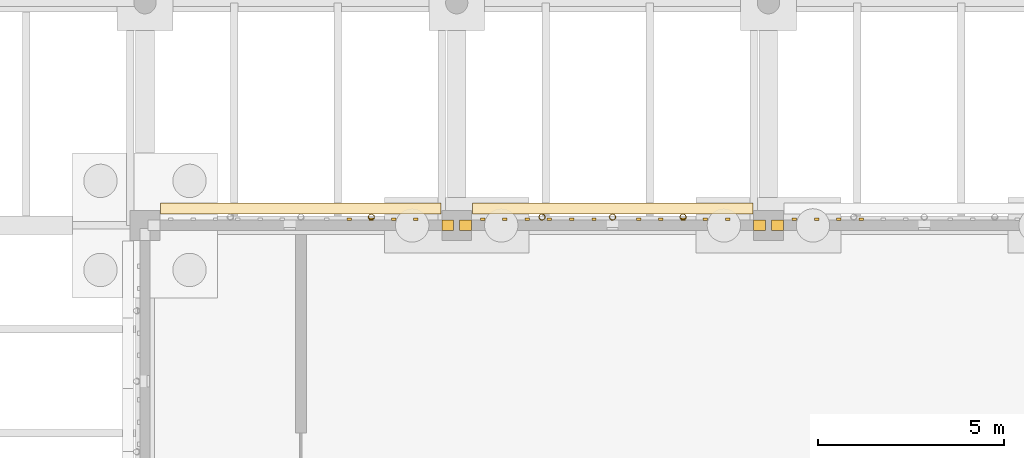
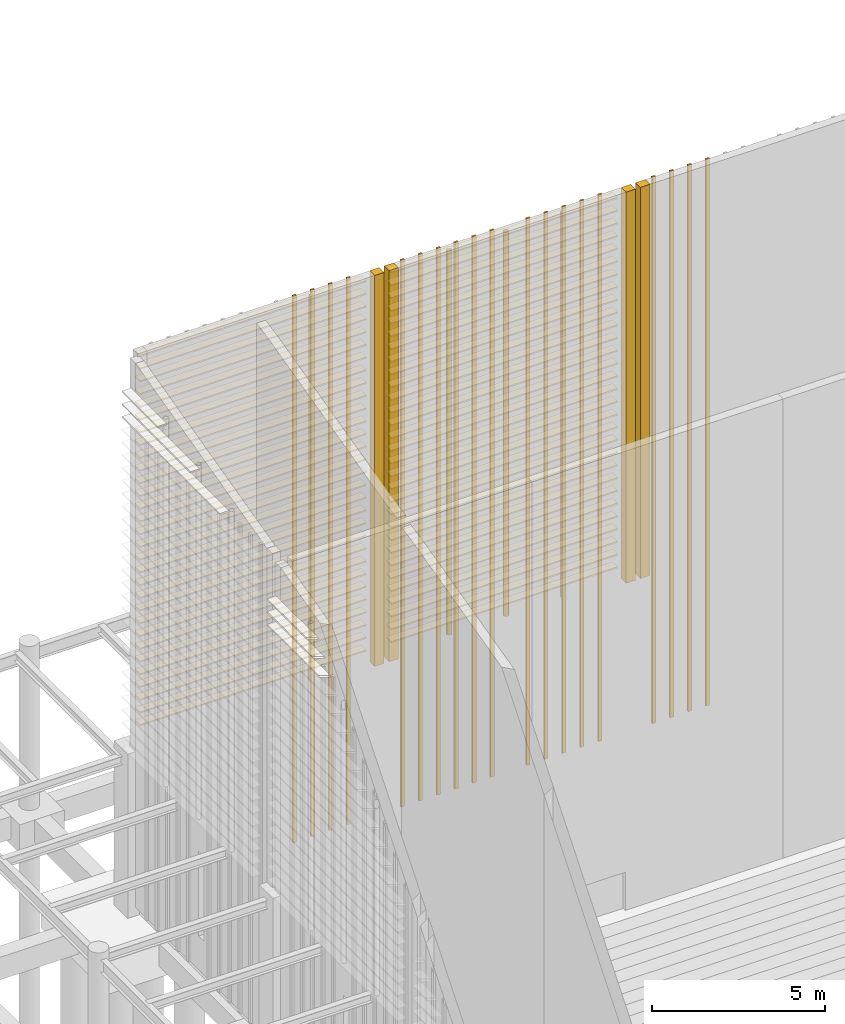
# One storey, part 68 of 82: 64 coverings, 23 shading devices.
"""IFC4 building model written with IfcOpenShell, lengths in metres."""

from ifc_helpers import new_model, si_unit, direction, frame, origin, origin_2d, place, context, subcontext, project, spatial, rectangle, hollow_circle, extrude, material, layer, layer_set, material_profile, profile_set, type_object, element, save


model = new_model("IFC4")

# Units and contexts
model_context = context("Model", 3, precision=1e-05, world=origin(), true_north=direction((0.0, 1.0)))
body_context = subcontext(model_context, "Body", "Model", "MODEL_VIEW")
ifc_project = project(units=[si_unit("LENGTHUNIT", "METRE"), si_unit("AREAUNIT", "SQUARE_METRE"), si_unit("VOLUMEUNIT", "CUBIC_METRE"), si_unit("PLANEANGLEUNIT", "RADIAN"), si_unit("MASSUNIT", "GRAM", prefix="KILO")], contexts=[model_context])

# Site, building, storey
site_placement = place(None, origin())
site = spatial("IfcSite", under=ifc_project, at=site_placement, CompositionType="ELEMENT")
building_placement = place(site_placement, origin())
building = spatial("IfcBuilding", under=site, at=building_placement, Name="Almond Square Museum", CompositionType="ELEMENT")
storey_placement = place(building_placement, origin())
storey = spatial("IfcBuildingStorey", under=building, at=storey_placement, Name="L00", CompositionType="ELEMENT", Elevation=0.0)

# Shading devices
ifc_material_1 = material(Name="Structural steel S355", Category="steel")
ifc_material_profile_1 = material_profile(ifc_material_1, hollow_circle(Radius=0.084228515625, WallThickness=0.008056640625, at=origin_2d()))
ifc_profile_set_1 = profile_set([ifc_material_profile_1], Name="Structural steel S355")
shading_device_type_1 = type_object("IfcShadingDeviceType", Name="Louvre post CHS 168.3 x 8", PredefinedType="USERDEFINED", material=ifc_profile_set_1)
for number, where, z_axis, x_axis, name in (
    (1, (16.699951171875, 109.424072265625, 5.5), (0.0, 0.0, 1.0), (1.0, 0.0, 0.0), "Louvre screen post"),
    (2, (18.60009765625, 109.424072265625, 5.5), (0.0, 0.0, 1.0), (1.0, 0.0, 0.0), "Louvre screen post"),
    (3, (20.5, 109.424072265625, 5.5), (0.0, 0.0, 1.0), (1.0, 0.0, 0.0), "Louvre screen post"),
    (4, (12.10009765625, 109.424072265625, 5.5), (0.0, 0.0, 1.0), (1.0, 0.0, 0.0), "Louvre screen post"),
):
    element("IfcShadingDevice", number, at=place(storey_placement, frame(where, z_axis=z_axis, x_axis=x_axis)), inside=storey, type_object=shading_device_type_1, Name=name, ObjectType="POST", PredefinedType="USERDEFINED", context=body_context, shape_type="SweptSolid", body=[
        extrude(hollow_circle(Radius=0.084228515625, WallThickness=0.008056640625, at=origin_2d()), origin(), (0.0, 0.0, 1.0), 13.569091796875),
    ])

# Coverings
ifc_material_2 = material(Name="Cedar timber louvre board", Category="wood")
ifc_material_profile_2 = material_profile(ifc_material_2, rectangle(XDim=0.300048828125, YDim=0.050048828125, at=origin_2d()))
ifc_profile_set_2 = profile_set([ifc_material_profile_2], Name="Cedar timber louvre board")
covering_type_1 = type_object("IfcCoveringType", Name="Louvre screen board 300 x 50", PredefinedType="CLADDING", material=ifc_profile_set_2)
for number, where, z_axis, x_axis, name in (
    (5, (14.820068359375, 109.654296875, 5.800048828125), (1.0, 0.0, 0.0), (0.0, 1.0, 0.0), "Louvre screen board"),
    (6, (14.820068359375, 109.654296875, 6.25), (1.0, 0.0, 0.0), (0.0, 1.0, 0.0), "Louvre screen board"),
    (7, (14.820068359375, 109.654296875, 6.699951171875), (1.0, 0.0, 0.0), (0.0, 1.0, 0.0), "Louvre screen board"),
    (8, (14.820068359375, 109.654296875, 7.14990234375), (1.0, 0.0, 0.0), (0.0, 1.0, 0.0), "Louvre screen board"),
    (9, (14.820068359375, 109.654296875, 7.60009765625), (1.0, 0.0, 0.0), (0.0, 1.0, 0.0), "Louvre screen board"),
    (10, (14.820068359375, 109.654296875, 8.050048828125), (1.0, 0.0, 0.0), (0.0, 1.0, 0.0), "Louvre screen board"),
    (11, (14.820068359375, 109.654296875, 8.5), (1.0, 0.0, 0.0), (0.0, 1.0, 0.0), "Louvre screen board"),
    (12, (14.820068359375, 109.654296875, 8.949951171875), (1.0, 0.0, 0.0), (0.0, 1.0, 0.0), "Louvre screen board"),
    (13, (14.820068359375, 109.654296875, 9.39990234375), (1.0, 0.0, 0.0), (0.0, 1.0, 0.0), "Louvre screen board"),
    (14, (14.820068359375, 109.654296875, 9.85009765625), (1.0, 0.0, 0.0), (0.0, 1.0, 0.0), "Louvre screen board"),
    (15, (14.820068359375, 109.654296875, 10.300048828125), (1.0, 0.0, 0.0), (0.0, 1.0, 0.0), "Louvre screen board"),
    (16, (14.820068359375, 109.654296875, 10.75), (1.0, 0.0, 0.0), (0.0, 1.0, 0.0), "Louvre screen board"),
    (17, (14.820068359375, 109.654296875, 11.199951171875), (1.0, 0.0, 0.0), (0.0, 1.0, 0.0), "Louvre screen board"),
    (18, (14.820068359375, 109.654296875, 11.64990234375), (1.0, 0.0, 0.0), (0.0, 1.0, 0.0), "Louvre screen board"),
    (19, (14.820068359375, 109.654296875, 12.10009765625), (1.0, 0.0, 0.0), (0.0, 1.0, 0.0), "Louvre screen board"),
    (20, (14.820068359375, 109.654296875, 12.550048828125), (1.0, 0.0, 0.0), (0.0, 1.0, 0.0), "Louvre screen board"),
    (21, (14.820068359375, 109.654296875, 13.0), (1.0, 0.0, 0.0), (0.0, 1.0, 0.0), "Louvre screen board"),
    (22, (14.820068359375, 109.654296875, 13.449951171875), (1.0, 0.0, 0.0), (0.0, 1.0, 0.0), "Louvre screen board"),
    (23, (14.820068359375, 109.654296875, 13.89990234375), (1.0, 0.0, 0.0), (0.0, 1.0, 0.0), "Louvre screen board"),
    (24, (14.820068359375, 109.654296875, 14.35009765625), (1.0, 0.0, 0.0), (0.0, 1.0, 0.0), "Louvre screen board"),
    (25, (14.820068359375, 109.654296875, 14.800048828125), (1.0, 0.0, 0.0), (0.0, 1.0, 0.0), "Louvre screen board"),
    (26, (14.820068359375, 109.654296875, 15.25), (1.0, 0.0, 0.0), (0.0, 1.0, 0.0), "Louvre screen board"),
    (27, (14.820068359375, 109.654296875, 15.699951171875), (1.0, 0.0, 0.0), (0.0, 1.0, 0.0), "Louvre screen board"),
    (28, (14.820068359375, 109.654296875, 16.14990234375), (1.0, 0.0, 0.0), (0.0, 1.0, 0.0), "Louvre screen board"),
    (29, (14.820068359375, 109.654296875, 16.60009765625), (1.0, 0.0, 0.0), (0.0, 1.0, 0.0), "Louvre screen board"),
    (30, (14.820068359375, 109.654296875, 17.050048828125), (1.0, 0.0, 0.0), (0.0, 1.0, 0.0), "Louvre screen board"),
    (31, (14.820068359375, 109.654296875, 17.5), (1.0, 0.0, 0.0), (0.0, 1.0, 0.0), "Louvre screen board"),
    (32, (14.820068359375, 109.654296875, 17.949951171875), (1.0, 0.0, 0.0), (0.0, 1.0, 0.0), "Louvre screen board"),
    (33, (14.820068359375, 109.654296875, 18.39990234375), (1.0, 0.0, 0.0), (0.0, 1.0, 0.0), "Louvre screen board"),
    (34, (14.820068359375, 109.654296875, 18.85009765625), (1.0, 0.0, 0.0), (0.0, 1.0, 0.0), "Louvre screen board"),
):
    element("IfcCovering", number, at=place(storey_placement, frame(where, z_axis=z_axis, x_axis=x_axis)), inside=storey, type_object=covering_type_1, Name=name, PredefinedType="CLADDING", context=body_context, shape_type="SweptSolid", body=[
        extrude(rectangle(XDim=0.300048828125, YDim=0.050048828125, at=origin_2d()), origin(), (0.0, 0.0, 1.0), 7.559814453125),
    ])
for number, where, z_axis, x_axis, name in (
    (35, (6.419921875, 109.654296875, 5.800048828125), (1.0, 0.0, 0.0), (0.0, 1.0, 0.0), "Louvre screen board"),
    (36, (6.419921875, 109.654296875, 6.25), (1.0, 0.0, 0.0), (0.0, 1.0, 0.0), "Louvre screen board"),
    (37, (6.419921875, 109.654296875, 6.699951171875), (1.0, 0.0, 0.0), (0.0, 1.0, 0.0), "Louvre screen board"),
    (38, (6.419921875, 109.654296875, 7.14990234375), (1.0, 0.0, 0.0), (0.0, 1.0, 0.0), "Louvre screen board"),
    (39, (6.419921875, 109.654296875, 7.60009765625), (1.0, 0.0, 0.0), (0.0, 1.0, 0.0), "Louvre screen board"),
    (40, (6.419921875, 109.654296875, 8.050048828125), (1.0, 0.0, 0.0), (0.0, 1.0, 0.0), "Louvre screen board"),
    (41, (6.419921875, 109.654296875, 8.5), (1.0, 0.0, 0.0), (0.0, 1.0, 0.0), "Louvre screen board"),
    (42, (6.419921875, 109.654296875, 8.949951171875), (1.0, 0.0, 0.0), (0.0, 1.0, 0.0), "Louvre screen board"),
    (43, (6.419921875, 109.654296875, 9.39990234375), (1.0, 0.0, 0.0), (0.0, 1.0, 0.0), "Louvre screen board"),
    (44, (6.419921875, 109.654296875, 9.85009765625), (1.0, 0.0, 0.0), (0.0, 1.0, 0.0), "Louvre screen board"),
    (45, (6.419921875, 109.654296875, 10.300048828125), (1.0, 0.0, 0.0), (0.0, 1.0, 0.0), "Louvre screen board"),
    (46, (6.419921875, 109.654296875, 10.75), (1.0, 0.0, 0.0), (0.0, 1.0, 0.0), "Louvre screen board"),
    (47, (6.419921875, 109.654296875, 11.199951171875), (1.0, 0.0, 0.0), (0.0, 1.0, 0.0), "Louvre screen board"),
    (48, (6.419921875, 109.654296875, 11.64990234375), (1.0, 0.0, 0.0), (0.0, 1.0, 0.0), "Louvre screen board"),
    (49, (6.419921875, 109.654296875, 12.10009765625), (1.0, 0.0, 0.0), (0.0, 1.0, 0.0), "Louvre screen board"),
    (50, (6.419921875, 109.654296875, 12.550048828125), (1.0, 0.0, 0.0), (0.0, 1.0, 0.0), "Louvre screen board"),
    (51, (6.419921875, 109.654296875, 13.0), (1.0, 0.0, 0.0), (0.0, 1.0, 0.0), "Louvre screen board"),
    (52, (6.419921875, 109.654296875, 13.449951171875), (1.0, 0.0, 0.0), (0.0, 1.0, 0.0), "Louvre screen board"),
    (53, (6.419921875, 109.654296875, 13.89990234375), (1.0, 0.0, 0.0), (0.0, 1.0, 0.0), "Louvre screen board"),
    (54, (6.419921875, 109.654296875, 14.35009765625), (1.0, 0.0, 0.0), (0.0, 1.0, 0.0), "Louvre screen board"),
    (55, (6.419921875, 109.654296875, 14.800048828125), (1.0, 0.0, 0.0), (0.0, 1.0, 0.0), "Louvre screen board"),
    (56, (6.419921875, 109.654296875, 15.25), (1.0, 0.0, 0.0), (0.0, 1.0, 0.0), "Louvre screen board"),
    (57, (6.419921875, 109.654296875, 15.699951171875), (1.0, 0.0, 0.0), (0.0, 1.0, 0.0), "Louvre screen board"),
    (58, (6.419921875, 109.654296875, 16.14990234375), (1.0, 0.0, 0.0), (0.0, 1.0, 0.0), "Louvre screen board"),
    (59, (6.419921875, 109.654296875, 16.60009765625), (1.0, 0.0, 0.0), (0.0, 1.0, 0.0), "Louvre screen board"),
    (60, (6.419921875, 109.654296875, 17.050048828125), (1.0, 0.0, 0.0), (0.0, 1.0, 0.0), "Louvre screen board"),
    (61, (6.419921875, 109.654296875, 17.5), (1.0, 0.0, 0.0), (0.0, 1.0, 0.0), "Louvre screen board"),
    (62, (6.419921875, 109.654296875, 17.949951171875), (1.0, 0.0, 0.0), (0.0, 1.0, 0.0), "Louvre screen board"),
    (63, (6.419921875, 109.654296875, 18.39990234375), (1.0, 0.0, 0.0), (0.0, 1.0, 0.0), "Louvre screen board"),
    (64, (6.419921875, 109.654296875, 18.85009765625), (1.0, 0.0, 0.0), (0.0, 1.0, 0.0), "Louvre screen board"),
):
    element("IfcCovering", number, at=place(storey_placement, frame(where, z_axis=z_axis, x_axis=x_axis)), inside=storey, type_object=covering_type_1, Name=name, PredefinedType="CLADDING", context=body_context, shape_type="SweptSolid", body=[
        extrude(rectangle(XDim=0.300048828125, YDim=0.050048828125, at=origin_2d()), origin(), (0.0, 0.0, 1.0), 7.56005859375),
    ])

# Shading devices
ifc_material_3 = material(Name="Cedar timber batten", Category="wood")
ifc_material_profile_3 = material_profile(ifc_material_3, rectangle(XDim=0.06005859375, YDim=0.1201171875, at=origin_2d()))
ifc_profile_set_3 = profile_set([ifc_material_profile_3], Name="Cedar timber batten")
shading_device_type_2 = type_object("IfcShadingDeviceType", Name="Vertical timber batten 60 x 120", PredefinedType="USERDEFINED", material=ifc_profile_set_3)
for number, where, z_axis, x_axis, name in (
    (65, (23.5, 109.367919921875, 0.0), (0.0, 0.0, 1.0), (0.0, 1.0, 0.0), "Timber batten"),
    (66, (24.10009765625, 109.367919921875, 0.0), (0.0, 0.0, 1.0), (0.0, 1.0, 0.0), "Timber batten"),
    (67, (24.699951171875, 109.367919921875, 0.0), (0.0, 0.0, 1.0), (0.0, 1.0, 0.0), "Timber batten"),
    (68, (25.300048828125, 109.367919921875, 0.0), (0.0, 0.0, 1.0), (0.0, 1.0, 0.0), "Timber batten"),
    (69, (15.10009765625, 109.367919921875, 0.0), (0.0, 0.0, 1.0), (0.0, 1.0, 0.0), "Timber batten"),
    (70, (15.699951171875, 109.367919921875, 0.0), (0.0, 0.0, 1.0), (0.0, 1.0, 0.0), "Timber batten"),
    (71, (16.300048828125, 109.367919921875, 0.0), (0.0, 0.0, 1.0), (0.0, 1.0, 0.0), "Timber batten"),
    (72, (16.89990234375, 109.367919921875, 0.0), (0.0, 0.0, 1.0), (0.0, 1.0, 0.0), "Timber batten"),
    (73, (17.5, 109.367919921875, 0.0), (0.0, 0.0, 1.0), (0.0, 1.0, 0.0), "Timber batten"),
    (74, (18.10009765625, 109.367919921875, 0.0), (0.0, 0.0, 1.0), (0.0, 1.0, 0.0), "Timber batten"),
    (75, (19.300048828125, 109.367919921875, 0.0), (0.0, 0.0, 1.0), (0.0, 1.0, 0.0), "Timber batten"),
    (76, (19.89990234375, 109.367919921875, 0.0), (0.0, 0.0, 1.0), (0.0, 1.0, 0.0), "Timber batten"),
    (77, (20.5, 109.367919921875, 0.0), (0.0, 0.0, 1.0), (0.0, 1.0, 0.0), "Timber batten"),
    (78, (21.10009765625, 109.367919921875, 0.0), (0.0, 0.0, 1.0), (0.0, 1.0, 0.0), "Timber batten"),
    (79, (21.699951171875, 109.367919921875, 0.0), (0.0, 0.0, 1.0), (0.0, 1.0, 0.0), "Timber batten"),
    (80, (11.5, 109.367919921875, 0.0), (0.0, 0.0, 1.0), (0.0, 1.0, 0.0), "Timber batten"),
    (81, (12.10009765625, 109.367919921875, 0.0), (0.0, 0.0, 1.0), (0.0, 1.0, 0.0), "Timber batten"),
    (82, (12.699951171875, 109.367919921875, 0.0), (0.0, 0.0, 1.0), (0.0, 1.0, 0.0), "Timber batten"),
    (83, (13.300048828125, 109.367919921875, 0.0), (0.0, 0.0, 1.0), (0.0, 1.0, 0.0), "Timber batten"),
):
    element("IfcShadingDevice", number, at=place(storey_placement, frame(where, z_axis=z_axis, x_axis=x_axis)), inside=storey, type_object=shading_device_type_2, Name=name, ObjectType="FIN", PredefinedType="USERDEFINED", context=body_context, shape_type="SweptSolid", body=[
        extrude(rectangle(XDim=0.06005859375, YDim=0.1201171875, at=origin_2d()), origin(), (0.0, 0.0, 1.0), 19.319091796875),
    ])

# Coverings
ifc_material_4 = material(Name="Cladding panel to match the wall")
ifc_layer = layer(ifc_material_4, 0.050048828125)
ifc_layer_set = layer_set([ifc_layer], Name="Cladding panel to match the wall")
covering_type_2 = type_object("IfcCoveringType", Name="Wall end closure panel", PredefinedType="CLADDING", material=ifc_layer_set)
for number, where, z_axis, x_axis, name in (
    (84, (23.0400390625, 109.199951171875, 5.5), (0.0, 0.0, 1.0), (1.0, 0.0, 0.0), "Wall end closure panel"),
    (85, (14.639892578125, 109.199951171875, 5.5), (0.0, 0.0, 1.0), (1.0, 0.0, 0.0), "Wall end closure panel"),
    (86, (22.56005859375, 109.199951171875, 5.5), (0.0, 0.0, 1.0), (1.0, 0.0, 0.0), "Wall end closure panel"),
    (87, (14.159912109375, 109.199951171875, 5.5), (0.0, 0.0, 1.0), (1.0, 0.0, 0.0), "Wall end closure panel"),
):
    element("IfcCovering", number, at=place(storey_placement, frame(where, z_axis=z_axis, x_axis=x_axis)), inside=storey, type_object=covering_type_2, Name=name, PredefinedType="CLADDING", context=body_context, shape_type="SweptSolid", body=[
        extrude(rectangle(XDim=0.320068359375, YDim=0.280029296875, at=origin_2d()), origin(), (0.0, 0.0, 1.0), 13.819091796875),
    ])

save(model, "model.ifc")
